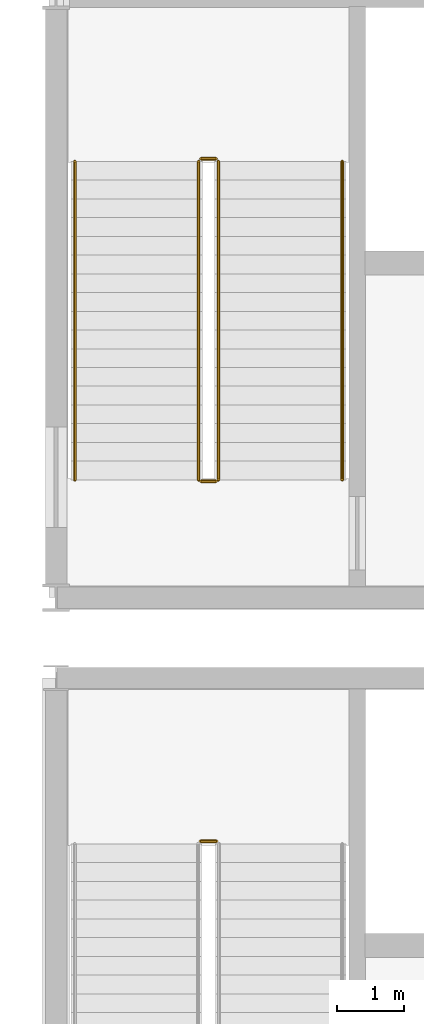
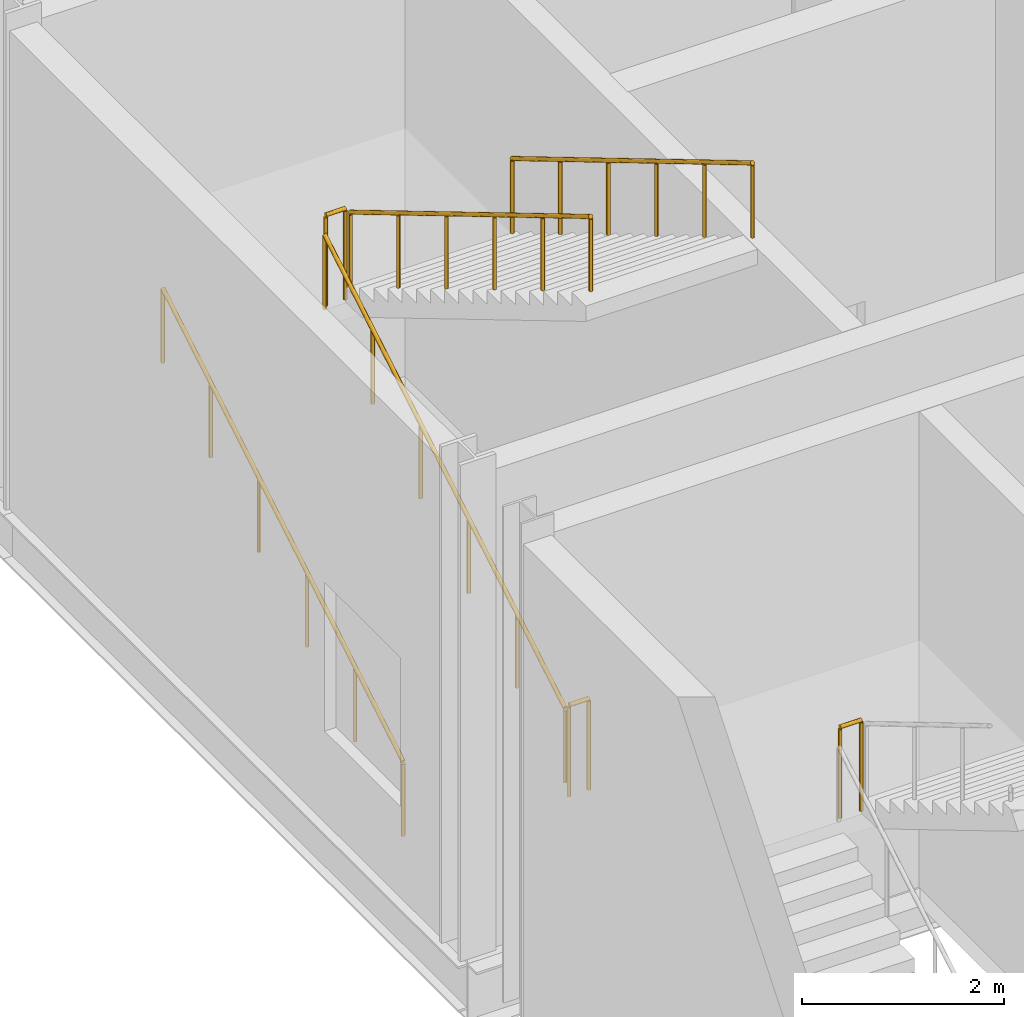
# One storey, part 142 of 159: 7 railings.
"""IFC4 building model written with IfcOpenShell, lengths in metres."""

from ifc_helpers import new_model, si_unit, direction, frame, origin, origin_2d, place, context, subcontext, project, spatial, circle, extrude, material, type_object, element, save


model = new_model("IFC4")

# Units and contexts
model_context = context("Model", 3, precision=1e-05, world=origin(), true_north=direction((0.0, 1.0)))
body_context = subcontext(model_context, "Body", "Model", "MODEL_VIEW")
ifc_project = project(units=[si_unit("LENGTHUNIT", "METRE"), si_unit("AREAUNIT", "SQUARE_METRE"), si_unit("VOLUMEUNIT", "CUBIC_METRE"), si_unit("PLANEANGLEUNIT", "RADIAN"), si_unit("MASSUNIT", "GRAM", prefix="KILO")], contexts=[model_context])

# Site, building, storey
site_placement = place(None, origin())
site = spatial("IfcSite", under=ifc_project, at=site_placement, CompositionType="ELEMENT")
building_placement = place(site_placement, origin())
building = spatial("IfcBuilding", under=site, at=building_placement, Name="Cazmaro Siding Exhibition Halls", CompositionType="ELEMENT")
storey_placement = place(building_placement, frame((0.0, 0.0, 6.0)))
storey = spatial("IfcBuildingStorey", under=building, at=storey_placement, Name="L01", CompositionType="ELEMENT", Elevation=6.0)

# Railings
ifc_material_1 = material(Name="Painted Steel Stairwell Guardrail", Category="steel")
railing_type_1 = type_object("IfcRailingType", Name="RL-GRD-01", PredefinedType="GUARDRAIL", material=ifc_material_1)
railing_1_placement = place(storey_placement, frame((2.155029296875, 50.9599609375, 3.0)))
element("IfcRailing", 1, at=railing_1_placement, inside=storey, type_object=railing_type_1, Name="ST-12 Mid-Landing Slot Guard RL-GRD-01 RL-SG023", PredefinedType="GUARDRAIL", context=body_context, shape_type="SweptSolid", body=[
    extrude(circle(Radius=0.02392578125, at=origin_2d()), frame((0.0, 0.0, 1.09619140625), z_axis=(1.0, 0.0, 0.0), x_axis=(0.0, 1.0, 0.0)), (0.0, 0.0, 1.0), 0.244873046875),
    extrude(circle(Radius=0.02099609375, at=origin_2d()), origin(), (0.0, 0.0, 1.0), 1.072021484375),
    extrude(circle(Radius=0.02099609375, at=origin_2d()), frame((0.244873046875, 0.0, 0.0)), (0.0, 0.0, 1.0), 1.072021484375),
])
for number, where, name in (
    (2, (2.1650390625, 56.340087890625, 0.0), "Core C7 L01 Landing Slot Guard RL-GRD-01 RL-SG026"),
    (3, (2.1650390625, 61.159912109375, 3.0), "ST-14 Mid-Landing Slot Guard RL-GRD-01 RL-SG027"),
):
    element("IfcRailing", number, at=place(storey_placement, frame(where)), inside=storey, type_object=railing_type_1, Name=name, PredefinedType="GUARDRAIL", context=body_context, shape_type="SweptSolid", body=[
        extrude(circle(Radius=0.02392578125, at=origin_2d()), frame((0.0, 0.0, 1.09619140625), z_axis=(1.0, 0.0, 0.0), x_axis=(0.0, 1.0, 0.0)), (0.0, 0.0, 1.0), 0.224853515625),
        extrude(circle(Radius=0.02099609375, at=origin_2d()), origin(), (0.0, 0.0, 1.0), 1.072021484375),
        extrude(circle(Radius=0.02099609375, at=origin_2d()), frame((0.224853515625, 0.0, 0.0)), (0.0, 0.0, 1.0), 1.072021484375),
    ])
ifc_material_2 = material(Name="Brushed Stainless Steel Tubular Handrail", Category="steel")
railing_type_2 = type_object("IfcRailingType", Name="RL-HR-01", PredefinedType="HANDRAIL", material=ifc_material_2)
railing_2_placement = place(storey_placement, frame((0.280029296875, 56.360107421875, 0.1669921875)))
element("IfcRailing", 4, at=railing_2_placement, inside=storey, type_object=railing_type_2, Name="ST-14 Flight 1 Handrail 1", PredefinedType="HANDRAIL", context=body_context, shape_type="SweptSolid", body=[
    extrude(circle(Radius=0.02392578125, at=origin_2d()), frame((0.0, 0.0, 0.89599609375), z_axis=(0.0, 0.859319172962, 0.511439692417), x_axis=(-1.0, 0.0, 0.0)), (0.0, 0.0, 1.0), 5.539306640625),
    extrude(circle(Radius=0.02099609375, at=origin_2d()), origin(), (0.0, 0.0, 1.0), 0.871826171875),
    extrude(circle(Radius=0.02099609375, at=origin_2d()), frame((0.0, 0.951904296875, 0.566650390625)), (0.0, 0.0, 1.0), 0.871826171875),
    extrude(circle(Radius=0.02099609375, at=origin_2d()), frame((0.0, 1.904052734375, 1.13330078125)), (0.0, 0.0, 1.0), 0.871826171875),
    extrude(circle(Radius=0.02099609375, at=origin_2d()), frame((0.0, 2.85595703125, 1.69970703125)), (0.0, 0.0, 1.0), 0.871826171875),
    extrude(circle(Radius=0.02099609375, at=origin_2d()), frame((0.0, 3.80810546875, 2.266357421875)), (0.0, 0.0, 1.0), 0.871826171875),
    extrude(circle(Radius=0.02099609375, at=origin_2d()), frame((0.0, 4.760009765625, 2.8330078125)), (0.0, 0.0, 1.0), 0.871826171875),
])
railing_3_placement = place(storey_placement, frame((2.425048828125, 61.1201171875, 3.1669921875)))
element("IfcRailing", 5, at=railing_3_placement, inside=storey, type_object=railing_type_2, Name="ST-14 Flight 2 Handrail 1", PredefinedType="HANDRAIL", context=body_context, shape_type="SweptSolid", body=[
    extrude(circle(Radius=0.02392578125, at=origin_2d()), frame((0.0, 0.0, 0.89599609375), z_axis=(0.0, -0.859319172962, 0.511439692417), x_axis=(1.0, 0.0, 0.0)), (0.0, 0.0, 1.0), 5.539306640625),
    extrude(circle(Radius=0.02099609375, at=origin_2d()), origin(), (0.0, 0.0, 1.0), 0.871826171875),
    extrude(circle(Radius=0.02099609375, at=origin_2d()), frame((0.0, -0.951904296875, 0.566650390625)), (0.0, 0.0, 1.0), 0.871826171875),
    extrude(circle(Radius=0.02099609375, at=origin_2d()), frame((0.0, -1.904052734375, 1.13330078125)), (0.0, 0.0, 1.0), 0.871826171875),
    extrude(circle(Radius=0.02099609375, at=origin_2d()), frame((0.0, -2.85595703125, 1.69970703125)), (0.0, 0.0, 1.0), 0.871826171875),
    extrude(circle(Radius=0.02099609375, at=origin_2d()), frame((0.0, -3.80810546875, 2.266357421875)), (0.0, 0.0, 1.0), 0.871826171875),
    extrude(circle(Radius=0.02099609375, at=origin_2d()), frame((0.0, -4.760009765625, 2.8330078125)), (0.0, 0.0, 1.0), 0.871826171875),
])
railing_4_placement = place(storey_placement, frame((2.1298828125, 56.360107421875, 0.1669921875)))
element("IfcRailing", 6, at=railing_4_placement, inside=storey, type_object=railing_type_2, Name="ST-14 Flight 1 Handrail 2", PredefinedType="HANDRAIL", context=body_context, shape_type="SweptSolid", body=[
    extrude(circle(Radius=0.02392578125, at=origin_2d()), frame((0.0, 0.0, 0.89599609375), z_axis=(0.0, 0.859319172962, 0.511439692417), x_axis=(-1.0, 0.0, 0.0)), (0.0, 0.0, 1.0), 5.539306640625),
    extrude(circle(Radius=0.02099609375, at=origin_2d()), origin(), (0.0, 0.0, 1.0), 0.871826171875),
    extrude(circle(Radius=0.02099609375, at=origin_2d()), frame((0.0, 0.951904296875, 0.566650390625)), (0.0, 0.0, 1.0), 0.871826171875),
    extrude(circle(Radius=0.02099609375, at=origin_2d()), frame((0.0, 1.904052734375, 1.13330078125)), (0.0, 0.0, 1.0), 0.871826171875),
    extrude(circle(Radius=0.02099609375, at=origin_2d()), frame((0.0, 2.85595703125, 1.69970703125)), (0.0, 0.0, 1.0), 0.871826171875),
    extrude(circle(Radius=0.02099609375, at=origin_2d()), frame((0.0, 3.80810546875, 2.266357421875)), (0.0, 0.0, 1.0), 0.871826171875),
    extrude(circle(Radius=0.02099609375, at=origin_2d()), frame((0.0, 4.760009765625, 2.8330078125)), (0.0, 0.0, 1.0), 0.871826171875),
])
railing_5_placement = place(storey_placement, frame((4.27490234375, 61.1201171875, 3.1669921875)))
element("IfcRailing", 7, at=railing_5_placement, inside=storey, type_object=railing_type_2, Name="ST-14 Flight 2 Handrail 2", PredefinedType="HANDRAIL", context=body_context, shape_type="SweptSolid", body=[
    extrude(circle(Radius=0.02392578125, at=origin_2d()), frame((0.0, 0.0, 0.89599609375), z_axis=(0.0, -0.859319172962, 0.511439692417), x_axis=(1.0, 0.0, 0.0)), (0.0, 0.0, 1.0), 5.539306640625),
    extrude(circle(Radius=0.02099609375, at=origin_2d()), origin(), (0.0, 0.0, 1.0), 0.871826171875),
    extrude(circle(Radius=0.02099609375, at=origin_2d()), frame((0.0, -0.951904296875, 0.566650390625)), (0.0, 0.0, 1.0), 0.871826171875),
    extrude(circle(Radius=0.02099609375, at=origin_2d()), frame((0.0, -1.904052734375, 1.13330078125)), (0.0, 0.0, 1.0), 0.871826171875),
    extrude(circle(Radius=0.02099609375, at=origin_2d()), frame((0.0, -2.85595703125, 1.69970703125)), (0.0, 0.0, 1.0), 0.871826171875),
    extrude(circle(Radius=0.02099609375, at=origin_2d()), frame((0.0, -3.80810546875, 2.266357421875)), (0.0, 0.0, 1.0), 0.871826171875),
    extrude(circle(Radius=0.02099609375, at=origin_2d()), frame((0.0, -4.760009765625, 2.8330078125)), (0.0, 0.0, 1.0), 0.871826171875),
])

save(model, "model.ifc")
